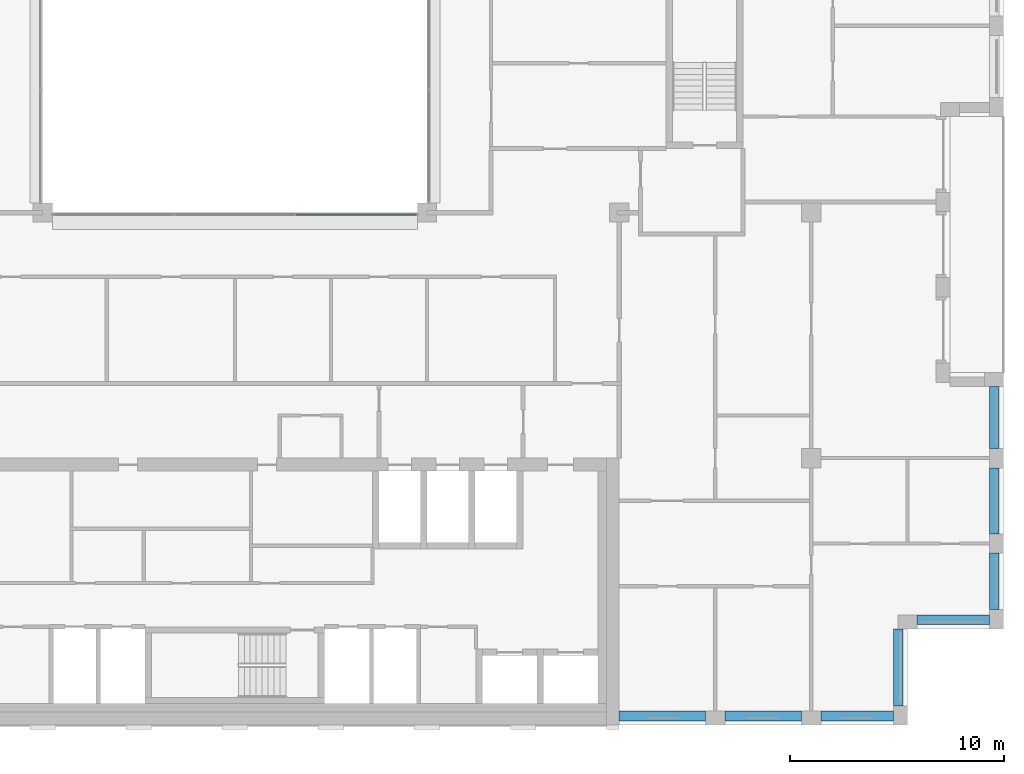
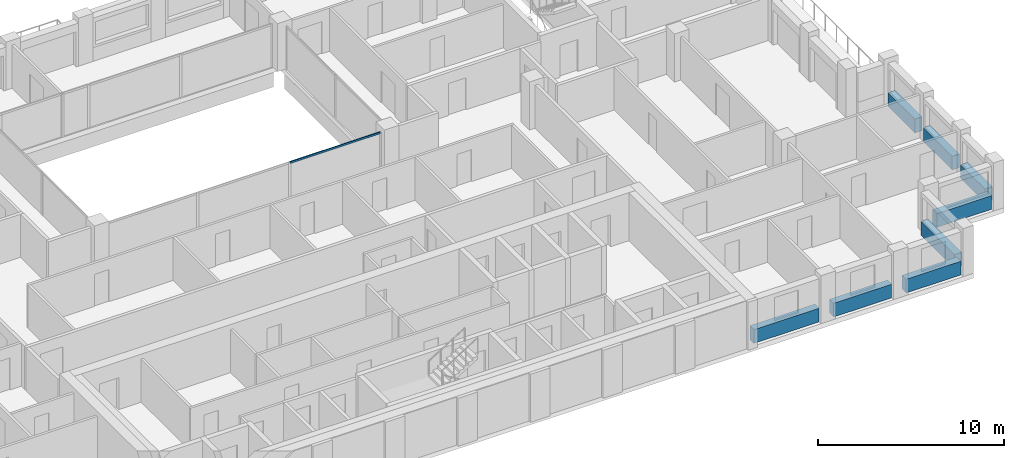
# One storey, part 3 of 15: 8 beams, 1 member, 1 element without a shape of its own.
"""IFC4 building model written with IfcOpenShell, lengths in metres."""

import ifcopenshell
import ifcopenshell.guid

model = None  # the IFC model being written
_history = None  # IfcOwnerHistory: only IFC2X3 demands one
_inside = {}  # id of a spatial element -> (the spatial element, [elements in it])
_under = {}  # id of a project, library or spatial element -> (it, [spatial elements below it])
_declared = {}  # id of a project -> (the project, [libraries it declares])
_typed = {}  # id of a type object -> (the type object, [elements of that type])
_made_of = {}  # id of a material, layer set ... -> (it, [elements and type objects made of it])


def new_model(schema):
    """Start an empty IFC model of exactly this schema.

    Asked for "IFC4X3", IfcOpenShell would pick the latest addendum, in which some entities
    have other attributes; the version numbers below select the first issue.
    IFC2X3 requires an IfcOwnerHistory on every rooted entity: one is made here for all.
    """
    global model, _history
    if schema == "IFC4X3":
        model = ifcopenshell.file(schema_version=(4, 3, 0, 0))
    else:
        model = ifcopenshell.file(schema=schema)
    _inside.clear()
    _under.clear()
    _declared.clear()
    _typed.clear()
    _made_of.clear()
    _history = None
    if model.schema == "IFC2X3":
        org = make("IfcOrganization", Name="unknown")
        user = make(
            "IfcPersonAndOrganization",
            ThePerson=make("IfcPerson", FamilyName="unknown"),
            TheOrganization=org,
        )
        app = make(
            "IfcApplication",
            ApplicationDeveloper=org,
            Version="unknown",
            ApplicationFullName="unknown",
            ApplicationIdentifier="unknown",
        )
        _history = make(
            "IfcOwnerHistory",
            OwningUser=user,
            OwningApplication=app,
            ChangeAction="ADDED",
            CreationDate=0,
        )
    return model


def make(cls, **values):
    """One entity of the class cls with the attributes given. An attribute that is None is left unset."""
    return model.create_entity(
        cls, **{name: value for name, value in values.items() if value is not None}
    )


def rooted(cls, **values):
    """An entity with a GlobalId (a new one), such as an element, a storey or a relation."""
    return make(cls, GlobalId=ifcopenshell.guid.new(), OwnerHistory=_history, **values)


def si_unit(unit_type, name, prefix=None):
    """IfcSIUnit, for example si_unit("LENGTHUNIT", "METRE", prefix="MILLI")."""
    return make("IfcSIUnit", UnitType=unit_type, Prefix=prefix, Name=name)


def assignment(units):
    """IfcUnitAssignment: the units of a project."""
    return None if units is None else make("IfcUnitAssignment", Units=units)


def point(xyz):
    """IfcCartesianPoint."""
    return None if xyz is None else make("IfcCartesianPoint", Coordinates=xyz)


def direction(xyz):
    """IfcDirection."""
    return None if xyz is None else make("IfcDirection", DirectionRatios=xyz)


def frame(location, z_axis=None, x_axis=None):
    """IfcAxis2Placement3D, a coordinate frame: its origin and axes. An axis left out is left unset."""
    return make(
        "IfcAxis2Placement3D",
        Location=point(location),
        Axis=direction(z_axis),
        RefDirection=direction(x_axis),
    )


def frame_2d(location, x_axis=None):
    """IfcAxis2Placement2D, a coordinate frame in the plane: its origin and x axis."""
    return make(
        "IfcAxis2Placement2D", Location=point(location), RefDirection=direction(x_axis)
    )


def origin():
    """The frame at (0, 0, 0) with its axes left unset."""
    return frame((0.0, 0.0, 0.0))


def origin_2d():
    """The frame at (0, 0) in the plane with its x axis left unset."""
    return frame_2d((0.0, 0.0))


def place(relative_to, where):
    """IfcLocalPlacement: puts the frame where relative to a parent placement (None: the world)."""
    return make(
        "IfcLocalPlacement", PlacementRelTo=relative_to, RelativePlacement=where
    )


def context(
    kind, dimensions, precision=None, world=None, true_north=None, identifier=None
):
    """IfcGeometricRepresentationContext, for example the 3D "Model" context."""
    return make(
        "IfcGeometricRepresentationContext",
        ContextIdentifier=identifier,
        ContextType=kind,
        CoordinateSpaceDimension=dimensions,
        Precision=precision,
        WorldCoordinateSystem=world,
        TrueNorth=true_north,
    )


def subcontext(parent, identifier, kind, view, scale=None):
    """IfcGeometricRepresentationSubContext, for example "Body" below "Model"."""
    return make(
        "IfcGeometricRepresentationSubContext",
        ContextIdentifier=identifier,
        ContextType=kind,
        ParentContext=parent,
        TargetScale=scale,
        TargetView=view,
    )


def project(units=None, contexts=None):
    """IfcProject with its units and contexts."""
    return rooted(
        "IfcProject",
        Name="project",
        RepresentationContexts=contexts,
        UnitsInContext=assignment(units),
    )


def spatial(cls, under=None, at=None, **own):
    """A site, building, storey or space (cls), placed at a placement, below another one or the project."""
    s = rooted(cls, ObjectPlacement=at, **own)
    if under is not None:
        _under.setdefault(under.id(), (under, []))[1].append(s)
    return s


def profile(cls, at=None, kind="AREA", **sizes):
    """A parametric profile (cls). Its sizes go by their IFC names, for example OverallWidth=200.0."""
    return make(cls, ProfileType=kind, Position=at, **sizes)


def rectangle(**sizes):
    """IfcRectangleProfileDef."""
    return profile("IfcRectangleProfileDef", **sizes)


def extrude(swept, where, along, depth):
    """IfcExtrudedAreaSolid: the profile swept, set in the frame where, extruded along a direction by depth."""
    return make(
        "IfcExtrudedAreaSolid",
        SweptArea=swept,
        Position=where,
        ExtrudedDirection=direction(along),
        Depth=depth,
    )


def shape(context_of_items, identifier, shape_type, items):
    """IfcShapeRepresentation: the items that make up one representation, for example the "Body"."""
    return make(
        "IfcShapeRepresentation",
        ContextOfItems=context_of_items,
        RepresentationIdentifier=identifier,
        RepresentationType=shape_type,
        Items=items,
    )


def material(Name=None, Category=None):
    """IfcMaterial."""
    return make("IfcMaterial", Name=Name, Category=Category)


def layer(
    of_material, thickness, ventilated=None, Name=None, Category=None, Priority=None
):
    """IfcMaterialLayer: one layer of a wall or slab, of a material (None: an air gap)."""
    return make(
        "IfcMaterialLayer",
        Material=of_material,
        LayerThickness=thickness,
        IsVentilated=ventilated,
        Name=Name,
        Category=Category,
        Priority=Priority,
    )


def layer_set(layers, Name=None):
    """IfcMaterialLayerSet."""
    return make("IfcMaterialLayerSet", MaterialLayers=layers, LayerSetName=Name)


def material_profile(
    of_material, cross_section, Name=None, Category=None, Priority=None
):
    """IfcMaterialProfile: a cross section and its material."""
    return make(
        "IfcMaterialProfile",
        Name=Name,
        Material=of_material,
        Profile=cross_section,
        Priority=Priority,
        Category=Category,
    )


def profile_set(profiles, Name=None, composite=None):
    """IfcMaterialProfileSet."""
    return make(
        "IfcMaterialProfileSet",
        Name=Name,
        MaterialProfiles=profiles,
        CompositeProfile=composite,
    )


def made_of(thing, what):
    """Note that an element or type object is made of a material, layer set ...; save() writes the relation."""
    if what is not None:
        _made_of.setdefault(what.id(), (what, []))[1].append(thing)
    return thing


def type_object(cls, material=None, **own):
    """A type object (cls), such as IfcWallType, which elements share."""
    return made_of(rooted(cls, **own), material)


def element(
    cls,
    number,
    at=None,
    inside=None,
    cuts=None,
    type_object=None,
    material=None,
    context=None,
    identifier="Body",
    shape_type=None,
    held_by="IfcProductDefinitionShape",
    body=None,
    shapes=None,
    **own,
):
    """One element of the class cls, such as IfcWall. Its Tag is "e" and its number.

    at: its placement. inside: the storey or other place that contains it. cuts: it is an
    opening in that element (IfcRelVoidsElement). A single representation is given by context,
    identifier, shape_type and body (its items); several are given by shapes. held_by: the class
    of the entity that holds the representations. save() writes the other relations.
    """
    e = rooted(cls, Tag="e%d" % number, ObjectPlacement=at, **own)
    if body is not None:
        shapes = [shape(context, identifier, shape_type, body)]
    if shapes is not None:
        e.Representation = make(held_by, Representations=shapes)
    if inside is not None:
        _inside.setdefault(inside.id(), (inside, []))[1].append(e)
    if cuts is not None:
        rooted(
            "IfcRelVoidsElement", RelatingBuildingElement=cuts, RelatedOpeningElement=e
        )
    if type_object is not None:
        _typed.setdefault(type_object.id(), (type_object, []))[1].append(e)
    return made_of(e, material)


def aggregate(whole, parts):
    """IfcRelAggregates: a whole, such as a stair, and the parts it consists of."""
    return rooted("IfcRelAggregates", RelatingObject=whole, RelatedObjects=parts)


def save(model, path):
    """Write the relations noted so far, then the file.

    IfcRelAggregates (storeys below a building ...), IfcRelContainedInSpatialStructure (elements
    in a storey), IfcRelDefinesByType, IfcRelAssociatesMaterial and IfcRelDeclares: one each for
    every whole, place, type object, material and project.
    """
    for whole, parts in _under.values():
        aggregate(whole, parts)
    for where, things in _inside.values():
        rooted(
            "IfcRelContainedInSpatialStructure",
            RelatedElements=things,
            RelatingStructure=where,
        )
    for kind, things in _typed.values():
        rooted("IfcRelDefinesByType", RelatedObjects=things, RelatingType=kind)
    for what, things in _made_of.values():
        rooted("IfcRelAssociatesMaterial", RelatedObjects=things, RelatingMaterial=what)
    for by, libraries in _declared.values():
        rooted("IfcRelDeclares", RelatingContext=by, RelatedDefinitions=libraries)
    model.write(path)


model = new_model("IFC4")

# Units and contexts
model_context = context("Model", 3, precision=1e-05, world=origin(), true_north=direction((0.0, 1.0)))
body_context = subcontext(model_context, "Body", "Model", "MODEL_VIEW")
ifc_project = project(units=[si_unit("LENGTHUNIT", "METRE"), si_unit("AREAUNIT", "SQUARE_METRE"), si_unit("VOLUMEUNIT", "CUBIC_METRE"), si_unit("PLANEANGLEUNIT", "RADIAN"), si_unit("MASSUNIT", "GRAM", prefix="KILO")], contexts=[model_context])

# Site, building, storey
site_placement = place(None, origin())
site = spatial("IfcSite", under=ifc_project, at=site_placement, CompositionType="ELEMENT")
building_placement = place(site_placement, origin())
building = spatial("IfcBuilding", under=site, at=building_placement, Name="Brigalow Station Residences", CompositionType="ELEMENT")
storey_placement = place(building_placement, frame((0.0, 0.0, 226.35009765625)))
storey = spatial("IfcBuildingStorey", under=building, at=storey_placement, Name="L65", CompositionType="ELEMENT", Elevation=226.35009765625)

# Curtain wall, member
ifc_material_1 = material(Name="Aluminium", Category="aluminium")
ifc_layer = layer(ifc_material_1, 0.14990234375)
ifc_layer_set = layer_set([ifc_layer], Name="ATRIUM FIRE-RATED GLAZING CURTAIN WALL")
curtain_wall_type = type_object("IfcCurtainWallType", Name="ATRIUM FIRE-RATED GLAZING CURTAIN WALL", PredefinedType="NOTDEFINED", material=ifc_layer_set)
curtain_wall_placement = place(storey_placement, origin())
curtain_wall = element("IfcCurtainWall", 1, at=curtain_wall_placement, inside=storey, type_object=curtain_wall_type, Name="L65/cw/atrium-S", PredefinedType="NOTDEFINED")
ifc_material_2 = material(Name="Aluminium", Category="aluminium")
ifc_material_profile_1 = material_profile(ifc_material_2, rectangle(XDim=0.06005859375, YDim=0.1201171875, at=origin_2d()), Name="ATRIUM FIRE-RATED GLAZING TRANSOM 60x120")
ifc_profile_set_1 = profile_set([ifc_material_profile_1], Name="Aluminium")
member_type = type_object("IfcMemberType", Name="ATRIUM FIRE-RATED GLAZING TRANSOM 60x120", PredefinedType="USERDEFINED", material=ifc_profile_set_1)
member_placement = place(storey_placement, frame((38.8798828125, 23.89990234375, 2.7998046875), z_axis=(1.0, 0.0, 0.0), x_axis=(0.0, 1.0, 0.0)))
member = element("IfcMember", 2, at=member_placement, type_object=member_type, Name="L65/cw/atrium-S/T02-00", ObjectType="TRANSOM", PredefinedType="USERDEFINED", context=body_context, shape_type="SweptSolid", body=[
    extrude(rectangle(XDim=0.06005859375, YDim=0.1201171875, at=origin_2d()), origin(), (0.0, 0.0, 1.0), 5.610107421875),
])
aggregate(curtain_wall, [member])

# Beams
ifc_material_3 = material(Name="Concrete C50", Category="concrete")
ifc_material_profile_2 = material_profile(ifc_material_3, rectangle(XDim=0.449951171875, YDim=0.89990234375, at=origin_2d()), Name="RC450x900")
ifc_profile_set_2 = profile_set([ifc_material_profile_2], Name="Concrete C50")
beam_type = type_object("IfcBeamType", Name="SPANDREL BEAM 450x900 C50", PredefinedType="SPANDREL", material=ifc_profile_set_2)
beam_1_placement = place(storey_placement, frame((54.0, 0.425048828125, 0.449951171875), z_axis=(1.0, 0.0, 0.0), x_axis=(0.0, 1.0, 0.0)))
element("IfcBeam", 3, at=beam_1_placement, inside=storey, type_object=beam_type, Name="L65/spandrel/W-L65-3", PredefinedType="SPANDREL", context=body_context, shape_type="SweptSolid", body=[
    extrude(rectangle(XDim=0.449951171875, YDim=0.89990234375, at=origin_2d()), origin(), (0.0, 0.0, 1.0), 4.050048828125),
])
beam_2_placement = place(storey_placement, frame((58.949951171875, 0.425048828125, 0.449951171875), z_axis=(1.0, 0.0, 0.0), x_axis=(0.0, 1.0, 0.0)))
element("IfcBeam", 4, at=beam_2_placement, inside=storey, type_object=beam_type, Name="L65/spandrel/W-L65-4", PredefinedType="SPANDREL", context=body_context, shape_type="SweptSolid", body=[
    extrude(rectangle(XDim=0.449951171875, YDim=0.89990234375, at=origin_2d()), origin(), (0.0, 0.0, 1.0), 3.60009765625),
])
beam_3_placement = place(storey_placement, frame((63.449951171875, 0.425048828125, 0.449951171875), z_axis=(1.0, 0.0, 0.0), x_axis=(0.0, 1.0, 0.0)))
element("IfcBeam", 5, at=beam_3_placement, inside=storey, type_object=beam_type, Name="L65/spandrel/W-L65-5", PredefinedType="SPANDREL", context=body_context, shape_type="SweptSolid", body=[
    extrude(rectangle(XDim=0.449951171875, YDim=0.89990234375, at=origin_2d()), origin(), (0.0, 0.0, 1.0), 3.400146484375),
])
beam_4_placement = place(storey_placement, frame((67.074951171875, 0.89990234375, 0.449951171875), z_axis=(0.0, 1.0, 0.0), x_axis=(-1.0, 0.0, 0.0)))
element("IfcBeam", 6, at=beam_4_placement, inside=storey, type_object=beam_type, Name="L65/spandrel/W-L65-6", PredefinedType="SPANDREL", context=body_context, shape_type="SweptSolid", body=[
    extrude(rectangle(XDim=0.449951171875, YDim=0.89990234375, at=origin_2d()), origin(), (0.0, 0.0, 1.0), 3.60009765625),
])
beam_5_placement = place(storey_placement, frame((67.949951171875, 4.925048828125, 0.449951171875), z_axis=(1.0, 0.0, 0.0), x_axis=(0.0, 1.0, 0.0)))
element("IfcBeam", 7, at=beam_5_placement, inside=storey, type_object=beam_type, Name="L65/spandrel/W-L65-7", PredefinedType="SPANDREL", context=body_context, shape_type="SweptSolid", body=[
    extrude(rectangle(XDim=0.449951171875, YDim=0.89990234375, at=origin_2d()), origin(), (0.0, 0.0, 1.0), 3.400146484375),
])
beam_6_placement = place(storey_placement, frame((71.574951171875, 5.39990234375, 0.449951171875), z_axis=(0.0, 1.0, 0.0), x_axis=(-1.0, 0.0, 0.0)))
element("IfcBeam", 8, at=beam_6_placement, inside=storey, type_object=beam_type, Name="L65/spandrel/W-L65-8", PredefinedType="SPANDREL", context=body_context, shape_type="SweptSolid", body=[
    extrude(rectangle(XDim=0.449951171875, YDim=0.89990234375, at=origin_2d()), origin(), (0.0, 0.0, 1.0), 2.650146484375),
])
beam_7_placement = place(storey_placement, frame((71.574951171875, 8.949951171875, 0.449951171875), z_axis=(0.0, 1.0, 0.0), x_axis=(-1.0, 0.0, 0.0)))
element("IfcBeam", 9, at=beam_7_placement, inside=storey, type_object=beam_type, Name="L65/spandrel/W-L65-9", PredefinedType="SPANDREL", context=body_context, shape_type="SweptSolid", body=[
    extrude(rectangle(XDim=0.449951171875, YDim=0.89990234375, at=origin_2d()), origin(), (0.0, 0.0, 1.0), 3.10009765625),
])
beam_8_placement = place(storey_placement, frame((71.574951171875, 12.949951171875, 0.449951171875), z_axis=(0.0, 1.0, 0.0), x_axis=(-1.0, 0.0, 0.0)))
element("IfcBeam", 10, at=beam_8_placement, inside=storey, type_object=beam_type, Name="L65/spandrel/W-L65-10", PredefinedType="SPANDREL", context=body_context, shape_type="SweptSolid", body=[
    extrude(rectangle(XDim=0.449951171875, YDim=0.89990234375, at=origin_2d()), origin(), (0.0, 0.0, 1.0), 2.900146484375),
])

save(model, "model.ifc")
